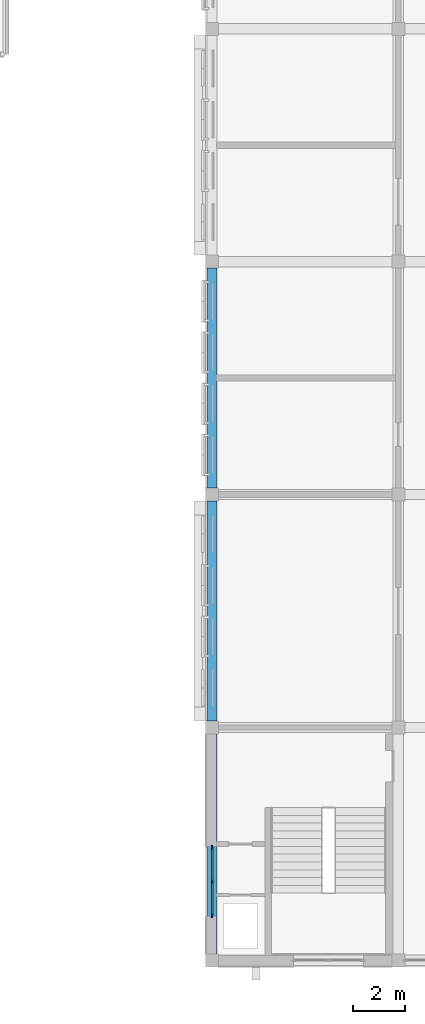
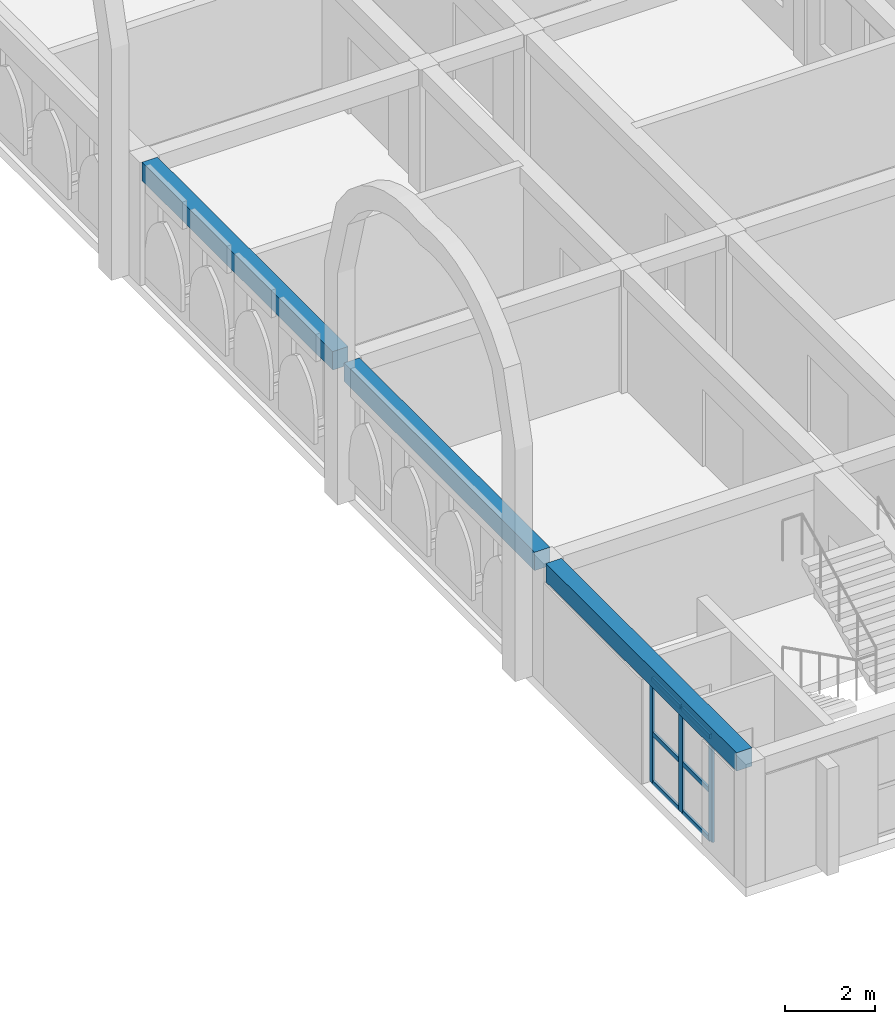
# One storey, part 8 of 65: 9 members, 3 beams, 1 element without a shape of its own.
"""IFC4 building model written with IfcOpenShell, lengths in metres."""

from ifc_helpers import new_model, si_unit, direction, frame, origin, origin_2d, place, context, subcontext, project, spatial, rectangle, extrude, material, layer, layer_set, material_profile, profile_set, type_object, element, aggregate, save


model = new_model("IFC4")

# Units and contexts
model_context = context("Model", 3, precision=1e-05, world=origin(), true_north=direction((0.0, 1.0)))
body_context = subcontext(model_context, "Body", "Model", "MODEL_VIEW")
ifc_project = project(units=[si_unit("LENGTHUNIT", "METRE"), si_unit("AREAUNIT", "SQUARE_METRE"), si_unit("VOLUMEUNIT", "CUBIC_METRE"), si_unit("PLANEANGLEUNIT", "RADIAN"), si_unit("MASSUNIT", "GRAM", prefix="KILO")], contexts=[model_context])

# Site, building, storey
site_placement = place(None, origin())
site = spatial("IfcSite", under=ifc_project, at=site_placement, CompositionType="ELEMENT")
building_placement = place(site_placement, origin())
building = spatial("IfcBuilding", under=site, at=building_placement, Name="Elbe Cascade School", CompositionType="ELEMENT")
storey_placement = place(building_placement, frame((0.0, 0.0, 11.699951171875)))
storey = spatial("IfcBuildingStorey", under=building, at=storey_placement, Name="L03", CompositionType="ELEMENT", Elevation=11.699951171875)

# Curtain wall, members
ifc_material_1 = material(Name="Aluminium frame with double glazing, bronze anodised", Category="aluminium")
ifc_layer = layer(ifc_material_1, 0.159912109375)
ifc_layer_set = layer_set([ifc_layer], Name="Aluminium frame with double glazing, bronze anodised")
curtain_wall_type = type_object("IfcCurtainWallType", Name="Bars envelope Curtain wall, aluminium, bronze anodised, storey-high slot", PredefinedType="NOTDEFINED", material=ifc_layer_set)
curtain_wall_placement = place(storey_placement, origin())
curtain_wall = element("IfcCurtainWall", 1, at=curtain_wall_placement, inside=storey, type_object=curtain_wall_type, Name="Curtain wall CW4 A.L03.w1", PredefinedType="NOTDEFINED")
ifc_material_2 = material(Name="Aluminium mullion, bronze anodised", Category="aluminium")
ifc_material_profile_1 = material_profile(ifc_material_2, rectangle(XDim=0.06005859375, YDim=0.159912109375, at=origin_2d()), Name="Bars envelope Curtain wall mullion 60 x 160, aluminium, storey-high slot")
ifc_profile_set_1 = profile_set([ifc_material_profile_1], Name="Aluminium mullion, bronze anodised")
member_type_1 = type_object("IfcMemberType", Name="Bars envelope Curtain wall mullion 60 x 160, aluminium, storey-high slot", PredefinedType="MULLION", material=ifc_profile_set_1)
member_1_placement = place(storey_placement, frame((69.0, 7.719970703125, 0.0), z_axis=(0.0, 0.0, 1.0), x_axis=(-1.0, 0.0, 0.0)))
member_1 = element("IfcMember", 2, at=member_1_placement, type_object=member_type_1, Name="CW4 mullion 1", PredefinedType="MULLION", context=body_context, shape_type="SweptSolid", body=[
    extrude(rectangle(XDim=0.06005859375, YDim=0.159912109375, at=origin_2d()), origin(), (0.0, 0.0, 1.0), 2.85009765625),
])
member_2_placement = place(storey_placement, frame((69.0, 9.0400390625, 0.0), z_axis=(0.0, 0.0, 1.0), x_axis=(-1.0, 0.0, 0.0)))
member_2 = element("IfcMember", 3, at=member_2_placement, type_object=member_type_1, Name="CW4 mullion 2", PredefinedType="MULLION", context=body_context, shape_type="SweptSolid", body=[
    extrude(rectangle(XDim=0.06005859375, YDim=0.159912109375, at=origin_2d()), origin(), (0.0, 0.0, 1.0), 2.85009765625),
])
member_3_placement = place(storey_placement, frame((69.0, 10.360107421875, 0.0), z_axis=(0.0, 0.0, 1.0), x_axis=(-1.0, 0.0, 0.0)))
member_3 = element("IfcMember", 4, at=member_3_placement, type_object=member_type_1, Name="CW4 mullion 3", PredefinedType="MULLION", context=body_context, shape_type="SweptSolid", body=[
    extrude(rectangle(XDim=0.06005859375, YDim=0.159912109375, at=origin_2d()), origin(), (0.0, 0.0, 1.0), 2.85009765625),
])
ifc_material_3 = material(Name="Aluminium transom, bronze anodised", Category="aluminium")
ifc_material_profile_2 = material_profile(ifc_material_3, rectangle(XDim=0.06005859375, YDim=0.1201171875, at=origin_2d()), Name="Bars envelope Curtain wall transom 60 x 120, aluminium, storey-high slot")
ifc_profile_set_2 = profile_set([ifc_material_profile_2], Name="Aluminium transom, bronze anodised")
member_type_2 = type_object("IfcMemberType", Name="Bars envelope Curtain wall transom 60 x 120, aluminium, storey-high slot", PredefinedType="USERDEFINED", material=ifc_profile_set_2)
member_4_placement = place(storey_placement, frame((69.0, 7.75, 0.030029296875), z_axis=(0.0, 1.0, 0.0), x_axis=(-1.0, 0.0, 0.0)))
member_4 = element("IfcMember", 5, at=member_4_placement, type_object=member_type_2, Name="CW4 transom 1.1", ObjectType="TRANSOM", PredefinedType="USERDEFINED", context=body_context, shape_type="SweptSolid", body=[
    extrude(rectangle(XDim=0.06005859375, YDim=0.1201171875, at=origin_2d()), origin(), (0.0, 0.0, 1.0), 1.260009765625),
])
member_5_placement = place(storey_placement, frame((69.0, 7.75, 1.35009765625), z_axis=(0.0, 1.0, 0.0), x_axis=(-1.0, 0.0, 0.0)))
member_5 = element("IfcMember", 6, at=member_5_placement, type_object=member_type_2, Name="CW4 transom 1.2", ObjectType="TRANSOM", PredefinedType="USERDEFINED", context=body_context, shape_type="SweptSolid", body=[
    extrude(rectangle(XDim=0.06005859375, YDim=0.1201171875, at=origin_2d()), origin(), (0.0, 0.0, 1.0), 1.260009765625),
])
member_6_placement = place(storey_placement, frame((69.0, 7.75, 2.820068359375), z_axis=(0.0, 1.0, 0.0), x_axis=(-1.0, 0.0, 0.0)))
member_6 = element("IfcMember", 7, at=member_6_placement, type_object=member_type_2, Name="CW4 transom 1.3", ObjectType="TRANSOM", PredefinedType="USERDEFINED", context=body_context, shape_type="SweptSolid", body=[
    extrude(rectangle(XDim=0.06005859375, YDim=0.1201171875, at=origin_2d()), origin(), (0.0, 0.0, 1.0), 1.260009765625),
])
member_7_placement = place(storey_placement, frame((69.0, 9.070068359375, 0.030029296875), z_axis=(0.0, 1.0, 0.0), x_axis=(-1.0, 0.0, 0.0)))
member_7 = element("IfcMember", 8, at=member_7_placement, type_object=member_type_2, Name="CW4 transom 2.1", ObjectType="TRANSOM", PredefinedType="USERDEFINED", context=body_context, shape_type="SweptSolid", body=[
    extrude(rectangle(XDim=0.06005859375, YDim=0.1201171875, at=origin_2d()), origin(), (0.0, 0.0, 1.0), 1.260009765625),
])
member_8_placement = place(storey_placement, frame((69.0, 9.070068359375, 1.35009765625), z_axis=(0.0, 1.0, 0.0), x_axis=(-1.0, 0.0, 0.0)))
member_8 = element("IfcMember", 9, at=member_8_placement, type_object=member_type_2, Name="CW4 transom 2.2", ObjectType="TRANSOM", PredefinedType="USERDEFINED", context=body_context, shape_type="SweptSolid", body=[
    extrude(rectangle(XDim=0.06005859375, YDim=0.1201171875, at=origin_2d()), origin(), (0.0, 0.0, 1.0), 1.260009765625),
])
member_9_placement = place(storey_placement, frame((69.0, 9.070068359375, 2.820068359375), z_axis=(0.0, 1.0, 0.0), x_axis=(-1.0, 0.0, 0.0)))
member_9 = element("IfcMember", 10, at=member_9_placement, type_object=member_type_2, Name="CW4 transom 2.3", ObjectType="TRANSOM", PredefinedType="USERDEFINED", context=body_context, shape_type="SweptSolid", body=[
    extrude(rectangle(XDim=0.06005859375, YDim=0.1201171875, at=origin_2d()), origin(), (0.0, 0.0, 1.0), 1.260009765625),
])
aggregate(curtain_wall, [member_1, member_2, member_3, member_4, member_5, member_6, member_7, member_8, member_9])

# Beams
ifc_material_4 = material(Name="Concrete C30/37", Category="concrete")
ifc_material_profile_3 = material_profile(ifc_material_4, rectangle(XDim=0.39990234375, YDim=0.5, at=origin_2d()), Name="RC 400x500")
ifc_profile_set_3 = profile_set([ifc_material_profile_3], Name="Concrete C30/37")
beam_type = type_object("IfcBeamType", Name="RC 400x500 beam", PredefinedType="BEAM", material=ifc_profile_set_3)
for number, where, z_axis, x_axis, name in (
    (11, (69.0, 6.25, 3.10009765625), (0.0, 1.0, 0.0), (-1.0, 0.0, 0.0), "RC 400x500 beam B1"),
    (12, (69.0, 15.25, 3.10009765625), (0.0, 1.0, 0.0), (-1.0, 0.0, 0.0), "RC 400x500 beam B1"),
    (13, (69.0, 24.25, 3.10009765625), (0.0, 1.0, 0.0), (-1.0, 0.0, 0.0), "RC 400x500 beam B1"),
):
    element("IfcBeam", number, at=place(storey_placement, frame(where, z_axis=z_axis, x_axis=x_axis)), inside=storey, type_object=beam_type, Name=name, PredefinedType="BEAM", context=body_context, shape_type="SweptSolid", body=[
        extrude(rectangle(XDim=0.39990234375, YDim=0.5, at=origin_2d()), origin(), (0.0, 0.0, 1.0), 8.5),
    ])

save(model, "model.ifc")
